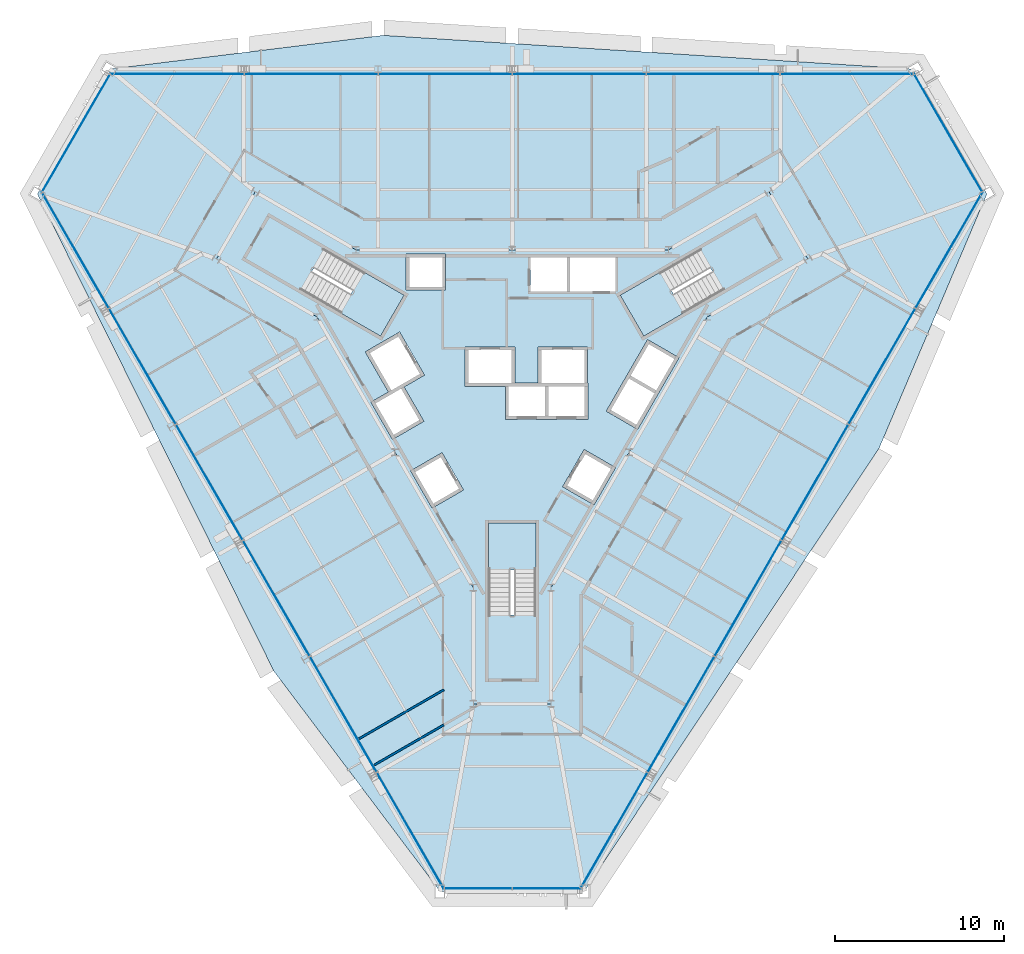
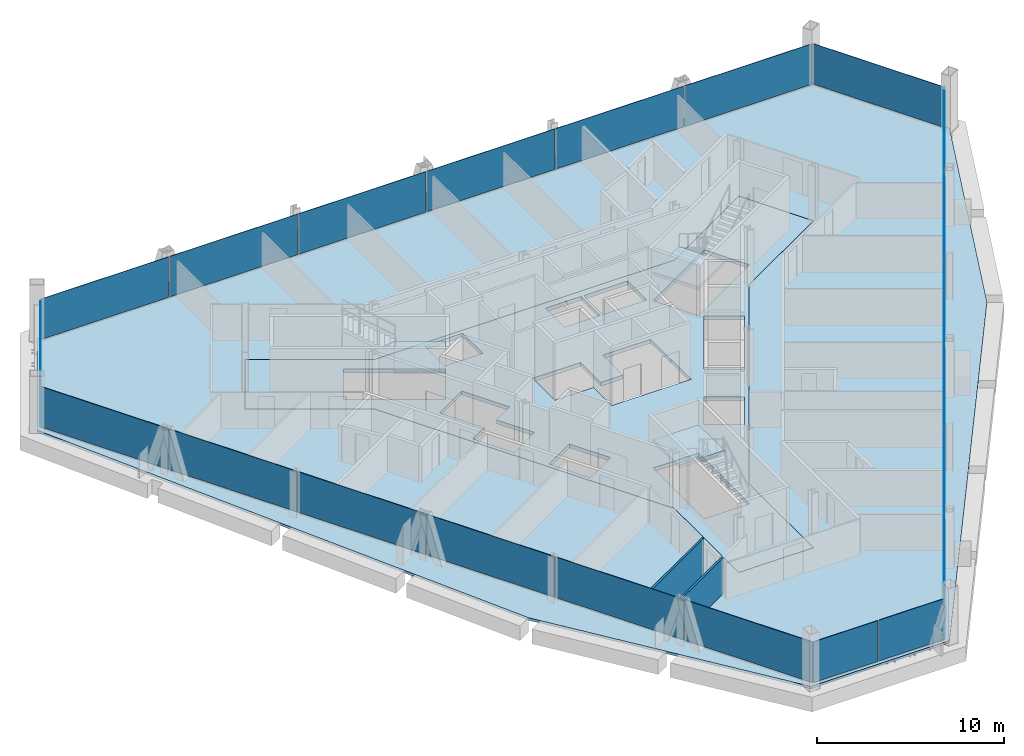
# One storey, part 8 of 14: 22 plates, 5 slabs, 2 walls, 9 elements without a shape of their own.
"""IFC4 building model written with IfcOpenShell, lengths in metres."""

from ifc_helpers import new_model, si_unit, direction, frame, frame_2d, origin, origin_2d, place, context, subcontext, project, spatial, polyline, rectangle, outline, extrude, material, layer, layer_set, type_object, element, aggregate, save


model = new_model("IFC4")

# Units and contexts
model_context = context("Model", 3, precision=1e-05, world=origin(), true_north=direction((0.0, 1.0)))
body_context = subcontext(model_context, "Body", "Model", "MODEL_VIEW")
ifc_project = project(units=[si_unit("LENGTHUNIT", "METRE"), si_unit("AREAUNIT", "SQUARE_METRE"), si_unit("VOLUMEUNIT", "CUBIC_METRE"), si_unit("PLANEANGLEUNIT", "RADIAN"), si_unit("MASSUNIT", "GRAM", prefix="KILO")], contexts=[model_context])

# Site, building, storey
site_placement = place(None, origin())
site = spatial("IfcSite", under=ifc_project, at=site_placement, CompositionType="ELEMENT")
building_placement = place(site_placement, origin())
building = spatial("IfcBuilding", under=site, at=building_placement, Name="Verrane Prism Tower", CompositionType="ELEMENT")
storey_placement = place(building_placement, frame((0.0, 0.0, 196.89990234375)))
storey = spatial("IfcBuildingStorey", under=building, at=storey_placement, Name="L49", CompositionType="ELEMENT", Elevation=196.89990234375)

# Slabs
ifc_material_1 = material(Name="Concrete C35/45", Category="concrete")
ifc_layer_1 = layer(ifc_material_1, 0.159912109375)
ifc_layer_set_1 = layer_set([ifc_layer_1], Name="Composite floor slab")
slab_type_1 = type_object("IfcSlabType", Name="Composite floor slab", PredefinedType="FLOOR", material=ifc_layer_set_1)
slab_1_placement = place(storey_placement, frame((0.0, 0.0, -0.159912109375)))
element("IfcSlab", 1, at=slab_1_placement, inside=storey, type_object=slab_type_1, Name="Floor slab L49", PredefinedType="FLOOR", context=body_context, shape_type="SweptSolid", body=[
    extrude(outline(polyline([(21.75244140625, -3.74365234375), (4.27490234375, -30.015380859375), (-4.27490234375, -30.015380859375), (-14.118408203125, -16.96630859375), (-28.131591796875, 11.305419921875), (-23.856689453125, 18.7099609375), (-7.634033203125, 20.7099609375), (23.856689453125, 18.7099609375), (28.131591796875, 11.305419921875), (21.75244140625, -3.74365234375)]), holes=[polyline([(17.52001953125, 7.4599609375), (15.219970703125, 11.43994140625), (9.260009765625, 8.0), (0.0, 8.0), (-9.260009765625, 8.0), (-15.219970703125, 11.43994140625), (-17.52001953125, 7.4599609375), (-11.56005859375, 4.02001953125), (-6.929931640625, -4.0), (-2.300048828125, -12.02001953125), (-2.300048828125, -18.89990234375), (2.300048828125, -18.89990234375), (2.300048828125, -12.02001953125), (6.929931640625, -4.0), (11.56005859375, 4.02001953125), (17.52001953125, 7.4599609375)])]), origin(), (0.0, 0.0, 1.0), 0.159912109375),
])
ifc_material_2 = material(Name="Concrete C40/50", Category="concrete")
ifc_layer_2 = layer(ifc_material_2, 0.25)
ifc_layer_set_2 = layer_set([ifc_layer_2], Name="Core floor slab 250 concrete C40/50")
slab_type_2 = type_object("IfcSlabType", Name="Core floor slab 250 concrete C40/50", PredefinedType="FLOOR", material=ifc_layer_set_2)
slab_2_placement = place(storey_placement, frame((0.0, 0.0, -0.25)))
element("IfcSlab", 2, at=slab_2_placement, inside=storey, type_object=slab_type_2, Name="Core floor L49", PredefinedType="FLOOR", context=body_context, shape_type="SweptSolid", body=[
    extrude(outline(polyline([(11.56005859375, 4.02001953125), (17.52001953125, 7.4599609375), (15.219970703125, 11.43994140625), (9.260009765625, 8.0), (0.0, 8.0), (-9.260009765625, 8.0), (-15.219970703125, 11.43994140625), (-17.52001953125, 7.4599609375), (-11.56005859375, 4.02001953125), (-6.929931640625, -4.0), (-2.300048828125, -12.02001953125), (-2.300048828125, -18.89990234375), (2.300048828125, -18.89990234375), (2.300048828125, -12.02001953125), (6.929931640625, -4.0), (11.56005859375, 4.02001953125)]), holes=[polyline([(1.39990234375, -8.199951171875), (1.39990234375, -13.639892578125), (-1.39990234375, -13.639892578125), (-1.39990234375, -8.199951171875), (1.39990234375, -8.199951171875)]), polyline([(-2.881103515625, -6.22998046875), (-4.742919921875, -7.304931640625), (-6.01806640625, -5.096923828125), (-4.156005859375, -4.02197265625), (-2.881103515625, -6.22998046875)]), polyline([(-7.801025390625, 2.887939453125), (-12.512939453125, 5.60791015625), (-11.113037109375, 8.031982421875), (-6.40087890625, 5.31201171875), (-7.801025390625, 2.887939453125)]), polyline([(-6.284912109375, 5.610107421875), (-6.284912109375, 7.760009765625), (-3.93505859375, 7.760009765625), (-3.93505859375, 5.610107421875), (-6.284912109375, 5.610107421875)]), polyline([(4.26611328125, -3.8310546875), (6.1279296875, -4.906005859375), (4.85302734375, -7.114990234375), (2.990966796875, -6.0400390625), (4.26611328125, -3.8310546875)]), polyline([(7.43798828125, -2.636962890625), (5.575927734375, -1.56201171875), (8.02587890625, 2.680908203125), (9.887939453125, 1.60595703125), (7.43798828125, -2.636962890625)]), polyline([(0.1650390625, 0.10009765625), (1.52490234375, 0.10009765625), (1.52490234375, 2.25), (4.47509765625, 2.25), (4.47509765625, 0.10009765625), (4.4951171875, 0.10009765625), (4.4951171875, -2.050048828125), (-0.405029296875, -2.050048828125), (-0.405029296875, -0.10009765625), (-2.784912109375, -0.10009765625), (-2.784912109375, 2.25), (0.1650390625, 2.25), (0.1650390625, 0.10009765625)]), polyline([(6.40087890625, 5.31201171875), (11.113037109375, 8.031982421875), (12.512939453125, 5.60791015625), (7.801025390625, 2.887939453125), (6.40087890625, 5.31201171875)]), polyline([(1.074951171875, 5.534912109375), (1.074951171875, 7.56005859375), (3.264892578125, 7.56005859375), (3.264892578125, 5.534912109375), (1.074951171875, 5.534912109375)]), polyline([(3.4150390625, 7.56005859375), (6.125, 7.56005859375), (6.125, 5.534912109375), (3.4150390625, 5.534912109375), (3.4150390625, 7.56005859375)]), polyline([(-5.23095703125, -2.159912109375), (-7.093017578125, -3.235107421875), (-8.367919921875, -1.02587890625), (-7.3291015625, -0.426025390625), (-8.7041015625, 1.955078125), (-6.66796875, 3.1298828125), (-5.193115234375, 0.574951171875), (-6.406005859375, -0.125), (-5.23095703125, -2.159912109375)])]), origin(), (0.0, 0.0, 1.0), 0.25),
])

# Curtain wall, plates
ifc_material_3 = material(Name="Aluminium framed insulated glazing", Category="aluminium")
curtain_wall_type_1 = type_object("IfcCurtainWallType", Name="Curtain wall CW-C 4200 module", PredefinedType="NOTDEFINED", material=ifc_material_3)
curtain_wall_1_placement = place(storey_placement, origin())
curtain_wall_1 = element("IfcCurtainWall", 3, at=curtain_wall_1_placement, inside=storey, type_object=curtain_wall_type_1, Name="Glazed curtain wall south corner L49", PredefinedType="NOTDEFINED")
ifc_material_4 = material(Name="Low-iron insulating glass unit", Category="glass")
ifc_layer_3 = layer(ifc_material_4, 0.02392578125)
ifc_layer_set_3 = layer_set([ifc_layer_3], Name="Glazing panel IGU 24")
plate_type_1 = type_object("IfcPlateType", Name="Glazing panel IGU 24", PredefinedType="CURTAIN_PANEL", material=ifc_layer_set_3)
plate_1_placement = place(storey_placement, frame((-2.01513671875, -29.838134765625, 0.05029296875), z_axis=(0.0, 0.0, 1.0), x_axis=(1.0, 0.0, 0.0)))
plate_1 = element("IfcPlate", 4, at=plate_1_placement, type_object=plate_type_1, Name="CW47.5 panel 1", PredefinedType="CURTAIN_PANEL", context=body_context, shape_type="SweptSolid", body=[
    extrude(rectangle(XDim=3.980224609375, YDim=0.02392578125, at=origin_2d()), origin(), (0.0, 0.0, 1.0), 2.662841796875),
])
plate_2_placement = place(storey_placement, frame((2.0400390625, -29.838134765625, 0.05029296875), z_axis=(0.0, 0.0, 1.0), x_axis=(1.0, 0.0, 0.0)))
plate_2 = element("IfcPlate", 5, at=plate_2_placement, type_object=plate_type_1, Name="CW47.5 panel 2", PredefinedType="CURTAIN_PANEL", context=body_context, shape_type="SweptSolid", body=[
    extrude(rectangle(XDim=4.0302734375, YDim=0.02392578125, at=origin_2d()), origin(), (0.0, 0.0, 1.0), 2.662841796875),
])
aggregate(curtain_wall_1, [plate_1, plate_2])

# Curtain wall, plate
ifc_material_5 = material(Name="Aluminium framed insulated glazing", Category="aluminium")
curtain_wall_type_2 = type_object("IfcCurtainWallType", Name="Curtain wall CW-B 5600 module", PredefinedType="NOTDEFINED", material=ifc_material_5)
curtain_wall_2_placement = place(storey_placement, origin())
curtain_wall_2 = element("IfcCurtainWall", 6, at=curtain_wall_2_placement, inside=storey, type_object=curtain_wall_type_2, Name="Glazed curtain wall north-west corner L49", PredefinedType="NOTDEFINED")
ifc_material_6 = material(Name="Low-iron insulating glass unit", Category="glass")
ifc_layer_4 = layer(ifc_material_6, 0.028076171875)
ifc_layer_set_4 = layer_set([ifc_layer_4], Name="Glazing panel IGU 28")
plate_type_2 = type_object("IfcPlateType", Name="Glazing panel IGU 28", PredefinedType="CURTAIN_PANEL", material=ifc_layer_set_4)
plate_3_placement = place(storey_placement, frame((-25.85546875, 14.89306640625, 0.06005859375), z_axis=(0.0, 0.0, 1.0), x_axis=(-0.500004572218, -0.866022763997, 0.0)))
plate_3 = element("IfcPlate", 7, at=plate_3_placement, type_object=plate_type_2, Name="CW47.3 panel 1", PredefinedType="CURTAIN_PANEL", context=body_context, shape_type="SweptSolid", body=[
    extrude(rectangle(XDim=8.050537109375, YDim=0.028076171875, at=origin_2d()), origin(), (0.0, 0.0, 1.0), 2.65283203125),
])
aggregate(curtain_wall_2, [plate_3])

ifc_material_7 = material(Name="Aluminium framed insulated glazing", Category="aluminium")
curtain_wall_type_3 = type_object("IfcCurtainWallType", Name="Curtain wall CW-A 8400 module", PredefinedType="NOTDEFINED", material=ifc_material_7)
curtain_wall_3_placement = place(storey_placement, origin())
curtain_wall_3 = element("IfcCurtainWall", 8, at=curtain_wall_3_placement, inside=storey, type_object=curtain_wall_type_3, Name="Glazed curtain wall north-east corner L49", PredefinedType="NOTDEFINED")
ifc_material_8 = material(Name="Low-iron insulating glass unit", Category="glass")
ifc_layer_5 = layer(ifc_material_8, 0.031982421875)
ifc_layer_set_5 = layer_set([ifc_layer_5], Name="Glazing panel IGU 32")
plate_type_3 = type_object("IfcPlateType", Name="Glazing panel IGU 32", PredefinedType="CURTAIN_PANEL", material=ifc_layer_set_5)
plate_4_placement = place(storey_placement, frame((25.822998046875, 14.949462890625, 0.0703125), z_axis=(0.0, 0.0, 1.0), x_axis=(-0.500004572218, 0.866022763997, 0.0)))
plate_4 = element("IfcPlate", 9, at=plate_4_placement, type_object=plate_type_3, Name="CW47.1 panel 1", PredefinedType="CURTAIN_PANEL", context=body_context, shape_type="SweptSolid", body=[
    extrude(rectangle(XDim=8.04052734375, YDim=0.031982421875, at=origin_2d()), origin(), (0.0, 0.0, 1.0), 2.642822265625),
])
aggregate(curtain_wall_3, [plate_4])

# Curtain wall, plates
curtain_wall_4_placement = place(storey_placement, origin())
curtain_wall_4 = element("IfcCurtainWall", 10, at=curtain_wall_4_placement, inside=storey, type_object=curtain_wall_type_3, Name="Glazed curtain wall north face L49", PredefinedType="NOTDEFINED")
plate_5_placement = place(storey_placement, frame((19.82666015625, 18.430908203125, 0.0703125), z_axis=(0.0, 0.0, 1.0), x_axis=(-1.0, 0.0, 0.0)))
plate_5 = element("IfcPlate", 11, at=plate_5_placement, type_object=plate_type_3, Name="CW47.2 panel 1", PredefinedType="CURTAIN_PANEL", context=body_context, shape_type="SweptSolid", body=[
    extrude(rectangle(XDim=7.83251953125, YDim=0.031982421875, at=origin_2d()), origin(), (0.0, 0.0, 1.0), 2.642822265625),
])
plate_6_placement = place(storey_placement, frame((11.906494140625, 18.430908203125, 0.0703125), z_axis=(0.0, 0.0, 1.0), x_axis=(-1.0, 0.0, 0.0)))
plate_6 = element("IfcPlate", 12, at=plate_6_placement, type_object=plate_type_3, Name="CW47.2 panel 2", PredefinedType="CURTAIN_PANEL", context=body_context, shape_type="SweptSolid", body=[
    extrude(rectangle(XDim=7.86767578125, YDim=0.031982421875, at=origin_2d()), origin(), (0.0, 0.0, 1.0), 2.642822265625),
])
plate_7_placement = place(storey_placement, frame((3.96875, 18.430908203125, 0.0703125), z_axis=(0.0, 0.0, 1.0), x_axis=(-1.0, 0.0, 0.0)))
plate_7 = element("IfcPlate", 13, at=plate_7_placement, type_object=plate_type_3, Name="CW47.2 panel 3", PredefinedType="CURTAIN_PANEL", context=body_context, shape_type="SweptSolid", body=[
    extrude(rectangle(XDim=7.86767578125, YDim=0.031982421875, at=origin_2d()), origin(), (0.0, 0.0, 1.0), 2.642822265625),
])
plate_8_placement = place(storey_placement, frame((-3.96875, 18.430908203125, 0.0703125), z_axis=(0.0, 0.0, 1.0), x_axis=(-1.0, 0.0, 0.0)))
plate_8 = element("IfcPlate", 14, at=plate_8_placement, type_object=plate_type_3, Name="CW47.2 panel 4", PredefinedType="CURTAIN_PANEL", context=body_context, shape_type="SweptSolid", body=[
    extrude(rectangle(XDim=7.86767578125, YDim=0.031982421875, at=origin_2d()), origin(), (0.0, 0.0, 1.0), 2.642822265625),
])
plate_9_placement = place(storey_placement, frame((-11.906494140625, 18.430908203125, 0.0703125), z_axis=(0.0, 0.0, 1.0), x_axis=(-1.0, 0.0, 0.0)))
plate_9 = element("IfcPlate", 15, at=plate_9_placement, type_object=plate_type_3, Name="CW47.2 panel 5", PredefinedType="CURTAIN_PANEL", context=body_context, shape_type="SweptSolid", body=[
    extrude(rectangle(XDim=7.86767578125, YDim=0.031982421875, at=origin_2d()), origin(), (0.0, 0.0, 1.0), 2.642822265625),
])
plate_10_placement = place(storey_placement, frame((-19.861572265625, 18.430908203125, 0.0703125), z_axis=(0.0, 0.0, 1.0), x_axis=(-1.0, 0.0, 0.0)))
plate_10 = element("IfcPlate", 16, at=plate_10_placement, type_object=plate_type_3, Name="CW47.2 panel 6", PredefinedType="CURTAIN_PANEL", context=body_context, shape_type="SweptSolid", body=[
    extrude(rectangle(XDim=7.902587890625, YDim=0.031982421875, at=origin_2d()), origin(), (0.0, 0.0, 1.0), 2.642822265625),
])
aggregate(curtain_wall_4, [plate_5, plate_6, plate_7, plate_8, plate_9, plate_10])

curtain_wall_5_placement = place(storey_placement, origin())
curtain_wall_5 = element("IfcCurtainWall", 17, at=curtain_wall_5_placement, inside=storey, type_object=curtain_wall_type_3, Name="Glazed curtain wall south-west face L49", PredefinedType="NOTDEFINED")
plate_11_placement = place(storey_placement, frame((-25.875, 7.954833984375, 0.0703125), z_axis=(0.0, 0.0, 1.0), x_axis=(0.499999569721, -0.866025652206, 0.0)))
plate_11 = element("IfcPlate", 18, at=plate_11_placement, type_object=plate_type_3, Name="CW47.4 panel 1", PredefinedType="CURTAIN_PANEL", context=body_context, shape_type="SweptSolid", body=[
    extrude(rectangle(XDim=7.83251953125, YDim=0.031982421875, at=origin_2d()), origin(), (0.0, 0.0, 1.0), 2.642822265625),
])
plate_12_placement = place(storey_placement, frame((-21.9150390625, 1.095703125, 0.0703125), z_axis=(0.0, 0.0, 1.0), x_axis=(0.499999569721, -0.866025652206, 0.0)))
plate_12 = element("IfcPlate", 19, at=plate_12_placement, type_object=plate_type_3, Name="CW47.4 panel 2", PredefinedType="CURTAIN_PANEL", context=body_context, shape_type="SweptSolid", body=[
    extrude(rectangle(XDim=7.86767578125, YDim=0.031982421875, at=origin_2d()), origin(), (0.0, 0.0, 1.0), 2.642822265625),
])
plate_13_placement = place(storey_placement, frame((-17.946044921875, -5.7783203125, 0.0703125), z_axis=(0.0, 0.0, 1.0), x_axis=(0.499999569721, -0.866025652206, 0.0)))
plate_13 = element("IfcPlate", 20, at=plate_13_placement, type_object=plate_type_3, Name="CW47.4 panel 3", PredefinedType="CURTAIN_PANEL", context=body_context, shape_type="SweptSolid", body=[
    extrude(rectangle(XDim=7.86767578125, YDim=0.031982421875, at=origin_2d()), origin(), (0.0, 0.0, 1.0), 2.642822265625),
])
plate_14_placement = place(storey_placement, frame((-13.977294921875, -12.652587890625, 0.0703125), z_axis=(0.0, 0.0, 1.0), x_axis=(0.499999569721, -0.866025652206, 0.0)))
plate_14 = element("IfcPlate", 21, at=plate_14_placement, type_object=plate_type_3, Name="CW47.4 panel 4", PredefinedType="CURTAIN_PANEL", context=body_context, shape_type="SweptSolid", body=[
    extrude(rectangle(XDim=7.86767578125, YDim=0.031982421875, at=origin_2d()), origin(), (0.0, 0.0, 1.0), 2.642822265625),
])
plate_15_placement = place(storey_placement, frame((-10.008544921875, -19.52685546875, 0.0703125), z_axis=(0.0, 0.0, 1.0), x_axis=(0.499999569721, -0.866025652206, 0.0)))
plate_15 = element("IfcPlate", 22, at=plate_15_placement, type_object=plate_type_3, Name="CW47.4 panel 5", PredefinedType="CURTAIN_PANEL", context=body_context, shape_type="SweptSolid", body=[
    extrude(rectangle(XDim=7.86767578125, YDim=0.031982421875, at=origin_2d()), origin(), (0.0, 0.0, 1.0), 2.642822265625),
])
plate_16_placement = place(storey_placement, frame((-6.031005859375, -26.416259765625, 0.0703125), z_axis=(0.0, 0.0, 1.0), x_axis=(0.499999569721, -0.866025652206, 0.0)))
plate_16 = element("IfcPlate", 23, at=plate_16_placement, type_object=plate_type_3, Name="CW47.4 panel 6", PredefinedType="CURTAIN_PANEL", context=body_context, shape_type="SweptSolid", body=[
    extrude(rectangle(XDim=7.902587890625, YDim=0.031982421875, at=origin_2d()), origin(), (0.0, 0.0, 1.0), 2.642822265625),
])
aggregate(curtain_wall_5, [plate_11, plate_12, plate_13, plate_14, plate_15, plate_16])

curtain_wall_6_placement = place(storey_placement, origin())
curtain_wall_6 = element("IfcCurtainWall", 24, at=curtain_wall_6_placement, inside=storey, type_object=curtain_wall_type_3, Name="Glazed curtain wall south-east face L49", PredefinedType="NOTDEFINED")
plate_17_placement = place(storey_placement, frame((6.04833984375, -26.3857421875, 0.0703125), z_axis=(0.0, 0.0, 1.0), x_axis=(0.499999569721, 0.866025652206, 0.0)))
plate_17 = element("IfcPlate", 25, at=plate_17_placement, type_object=plate_type_3, Name="CW47.6 panel 1", PredefinedType="CURTAIN_PANEL", context=body_context, shape_type="SweptSolid", body=[
    extrude(rectangle(XDim=7.83251953125, YDim=0.031982421875, at=origin_2d()), origin(), (0.0, 0.0, 1.0), 2.642822265625),
])
plate_18_placement = place(storey_placement, frame((10.008544921875, -19.52685546875, 0.0703125), z_axis=(0.0, 0.0, 1.0), x_axis=(0.499999569721, 0.866025652206, 0.0)))
plate_18 = element("IfcPlate", 26, at=plate_18_placement, type_object=plate_type_3, Name="CW47.6 panel 2", PredefinedType="CURTAIN_PANEL", context=body_context, shape_type="SweptSolid", body=[
    extrude(rectangle(XDim=7.86767578125, YDim=0.031982421875, at=origin_2d()), origin(), (0.0, 0.0, 1.0), 2.642822265625),
])
plate_19_placement = place(storey_placement, frame((13.977294921875, -12.652587890625, 0.0703125), z_axis=(0.0, 0.0, 1.0), x_axis=(0.499999569721, 0.866025652206, 0.0)))
plate_19 = element("IfcPlate", 27, at=plate_19_placement, type_object=plate_type_3, Name="CW47.6 panel 3", PredefinedType="CURTAIN_PANEL", context=body_context, shape_type="SweptSolid", body=[
    extrude(rectangle(XDim=7.86767578125, YDim=0.031982421875, at=origin_2d()), origin(), (0.0, 0.0, 1.0), 2.642822265625),
])
plate_20_placement = place(storey_placement, frame((17.946044921875, -5.7783203125, 0.0703125), z_axis=(0.0, 0.0, 1.0), x_axis=(0.499999569721, 0.866025652206, 0.0)))
plate_20 = element("IfcPlate", 28, at=plate_20_placement, type_object=plate_type_3, Name="CW47.6 panel 4", PredefinedType="CURTAIN_PANEL", context=body_context, shape_type="SweptSolid", body=[
    extrude(rectangle(XDim=7.86767578125, YDim=0.031982421875, at=origin_2d()), origin(), (0.0, 0.0, 1.0), 2.642822265625),
])
plate_21_placement = place(storey_placement, frame((21.9150390625, 1.095703125, 0.0703125), z_axis=(0.0, 0.0, 1.0), x_axis=(0.499999569721, 0.866025652206, 0.0)))
plate_21 = element("IfcPlate", 29, at=plate_21_placement, type_object=plate_type_3, Name="CW47.6 panel 5", PredefinedType="CURTAIN_PANEL", context=body_context, shape_type="SweptSolid", body=[
    extrude(rectangle(XDim=7.86767578125, YDim=0.031982421875, at=origin_2d()), origin(), (0.0, 0.0, 1.0), 2.642822265625),
])
plate_22_placement = place(storey_placement, frame((25.892578125, 7.985107421875, 0.0703125), z_axis=(0.0, 0.0, 1.0), x_axis=(0.499999569721, 0.866025652206, 0.0)))
plate_22 = element("IfcPlate", 30, at=plate_22_placement, type_object=plate_type_3, Name="CW47.6 panel 6", PredefinedType="CURTAIN_PANEL", context=body_context, shape_type="SweptSolid", body=[
    extrude(rectangle(XDim=7.902587890625, YDim=0.031982421875, at=origin_2d()), origin(), (0.0, 0.0, 1.0), 2.642822265625),
])
aggregate(curtain_wall_6, [plate_17, plate_18, plate_19, plate_20, plate_21, plate_22])

# Stair, slab
ifc_material_9 = material(Name="Concrete C40/50", Category="concrete")
stair_type = type_object("IfcStairType", Name="Exit stair 1300 dog-leg precast concrete C40/50", PredefinedType="HALF_TURN_STAIR", material=ifc_material_9)
stair_1_placement = place(storey_placement, origin())
stair_1 = element("IfcStair", 31, at=stair_1_placement, inside=storey, type_object=stair_type, Name="Stair 1 L49", PredefinedType="HALF_TURN_STAIR")
ifc_material_10 = material(Name="Concrete C40/50", Category="concrete")
ifc_layer_6 = layer(ifc_material_10, 0.199951171875)
ifc_layer_set_6 = layer_set([ifc_layer_6], Name="Stair landing 200 precast concrete C40/50")
slab_type_3 = type_object("IfcSlabType", Name="Stair landing 200 precast concrete C40/50", PredefinedType="LANDING", material=ifc_layer_set_6)
slab_3_placement = place(storey_placement, frame((0.0, 0.0, 1.650146484375)))
slab_3 = element("IfcSlab", 32, at=slab_3_placement, type_object=slab_type_3, Name="Stair 1 landing 1", PredefinedType="LANDING", context=body_context, shape_type="SweptSolid", body=[
    extrude(outline(polyline([(8.791748046875, 6.6923828125), (6.4013671875, 5.3125), (7.801513671875, 2.887451171875), (10.191650390625, 4.267578125), (8.791748046875, 6.6923828125)])), origin(), (0.0, 0.0, 1.0), 0.199951171875),
])
aggregate(stair_1, [slab_3])

stair_2_placement = place(storey_placement, origin())
stair_2 = element("IfcStair", 33, at=stair_2_placement, inside=storey, type_object=stair_type, Name="Stair 2 L49", PredefinedType="HALF_TURN_STAIR")
slab_4_placement = place(storey_placement, frame((0.0, 0.0, 1.650146484375)))
slab_4 = element("IfcSlab", 34, at=slab_4_placement, type_object=slab_type_3, Name="Stair 2 landing 1", PredefinedType="LANDING", context=body_context, shape_type="SweptSolid", body=[
    extrude(outline(polyline([(-10.191650390625, 4.267578125), (-7.801513671875, 2.887451171875), (-6.4013671875, 5.3125), (-8.791748046875, 6.6923828125), (-10.191650390625, 4.267578125)])), origin(), (0.0, 0.0, 1.0), 0.199951171875),
])
aggregate(stair_2, [slab_4])

stair_3_placement = place(storey_placement, origin())
stair_3 = element("IfcStair", 35, at=stair_3_placement, inside=storey, type_object=stair_type, Name="Stair 3 L49", PredefinedType="HALF_TURN_STAIR")
slab_5_placement = place(storey_placement, frame((0.0, 0.0, 1.650146484375)))
slab_5 = element("IfcSlab", 36, at=slab_5_placement, type_object=slab_type_3, Name="Stair 3 landing 1", PredefinedType="LANDING", context=body_context, shape_type="SweptSolid", body=[
    extrude(outline(polyline([(1.39990234375, -10.9599609375), (1.39990234375, -8.199951171875), (-1.39990234375, -8.199951171875), (-1.39990234375, -10.9599609375), (1.39990234375, -10.9599609375)])), origin(), (0.0, 0.0, 1.0), 0.199951171875),
])
aggregate(stair_3, [slab_5])

# Walls
ifc_material_11 = material(Name="Gypsum board partition", Category="other")
ifc_layer_7 = layer(ifc_material_11, 0.125)
ifc_layer_set_7 = layer_set([ifc_layer_7], Name="PW-125 corridor wall 1 h")
wall_type = type_object("IfcWallType", Name="PW-125 corridor wall 1 h", PredefinedType="PARTITIONING", material=ifc_layer_set_7)
wall_1_placement = place(storey_placement, frame((-9.065673828125, -20.968017578125, 0.0), z_axis=(0.0, 0.0, 1.0), x_axis=(0.866023559602, 0.500003194204, 0.0)))
element("IfcWall", 37, at=wall_1_placement, inside=storey, type_object=wall_type, Name="Corridor wall 017", PredefinedType="PARTITIONING", context=body_context, shape_type="SweptSolid", body=[
    extrude(rectangle(XDim=5.79638671875, YDim=0.125, at=frame_2d((2.898193359375, 0.0))), origin(), (0.0, 0.0, 1.0), 2.362060546875),
])
wall_2_placement = place(storey_placement, frame((-8.165771484375, -22.527099609375, 0.0), z_axis=(0.0, 0.0, 1.0), x_axis=(0.866042865666, 0.499969753915, 0.0)))
element("IfcWall", 38, at=wall_2_placement, inside=storey, type_object=wall_type, Name="Corridor wall 019", PredefinedType="PARTITIONING", context=body_context, shape_type="SweptSolid", body=[
    extrude(rectangle(XDim=4.757080078125, YDim=0.125, at=frame_2d((2.37841796875, 0.0))), origin(), (0.0, 0.0, 1.0), 2.362060546875),
])

save(model, "model.ifc")
